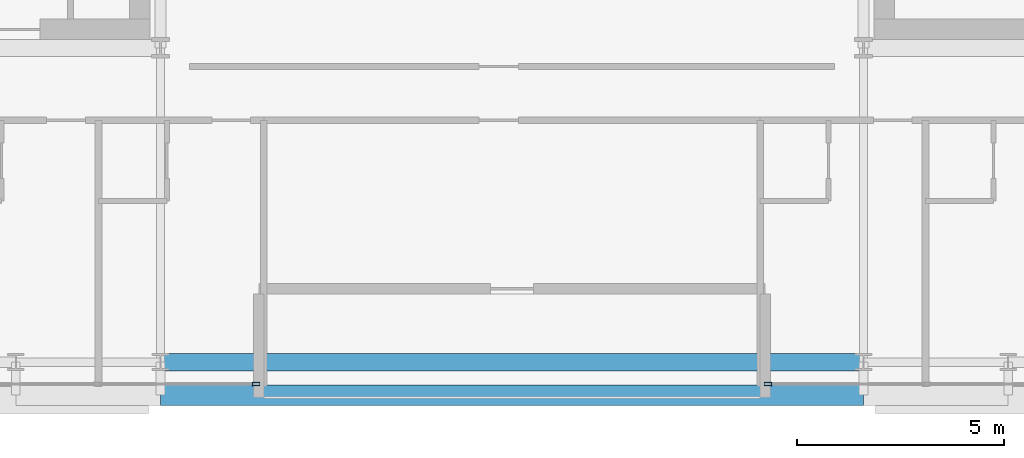
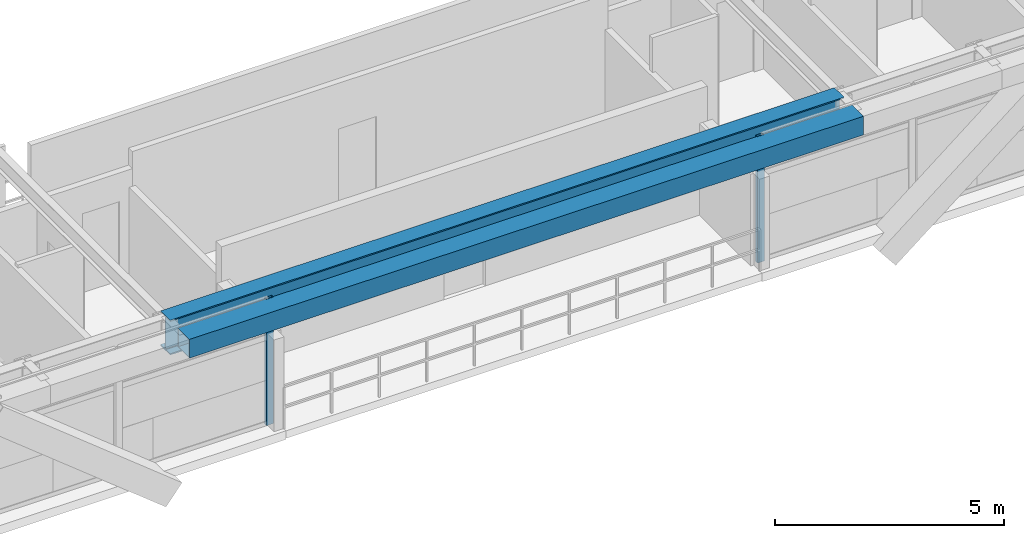
# One storey, part 6 of 32: 2 beams, 2 members, 2 elements without a shape of their own.
"""IFC4 building model written with IfcOpenShell, lengths in metres."""

import ifcopenshell
import ifcopenshell.guid

model = None  # the IFC model being written
_history = None  # IfcOwnerHistory: only IFC2X3 demands one
_inside = {}  # id of a spatial element -> (the spatial element, [elements in it])
_under = {}  # id of a project, library or spatial element -> (it, [spatial elements below it])
_declared = {}  # id of a project -> (the project, [libraries it declares])
_typed = {}  # id of a type object -> (the type object, [elements of that type])
_made_of = {}  # id of a material, layer set ... -> (it, [elements and type objects made of it])


def new_model(schema):
    """Start an empty IFC model of exactly this schema.

    Asked for "IFC4X3", IfcOpenShell would pick the latest addendum, in which some entities
    have other attributes; the version numbers below select the first issue.
    IFC2X3 requires an IfcOwnerHistory on every rooted entity: one is made here for all.
    """
    global model, _history
    if schema == "IFC4X3":
        model = ifcopenshell.file(schema_version=(4, 3, 0, 0))
    else:
        model = ifcopenshell.file(schema=schema)
    _inside.clear()
    _under.clear()
    _declared.clear()
    _typed.clear()
    _made_of.clear()
    _history = None
    if model.schema == "IFC2X3":
        org = make("IfcOrganization", Name="unknown")
        user = make(
            "IfcPersonAndOrganization",
            ThePerson=make("IfcPerson", FamilyName="unknown"),
            TheOrganization=org,
        )
        app = make(
            "IfcApplication",
            ApplicationDeveloper=org,
            Version="unknown",
            ApplicationFullName="unknown",
            ApplicationIdentifier="unknown",
        )
        _history = make(
            "IfcOwnerHistory",
            OwningUser=user,
            OwningApplication=app,
            ChangeAction="ADDED",
            CreationDate=0,
        )
    return model


def make(cls, **values):
    """One entity of the class cls with the attributes given. An attribute that is None is left unset."""
    return model.create_entity(
        cls, **{name: value for name, value in values.items() if value is not None}
    )


def rooted(cls, **values):
    """An entity with a GlobalId (a new one), such as an element, a storey or a relation."""
    return make(cls, GlobalId=ifcopenshell.guid.new(), OwnerHistory=_history, **values)


def si_unit(unit_type, name, prefix=None):
    """IfcSIUnit, for example si_unit("LENGTHUNIT", "METRE", prefix="MILLI")."""
    return make("IfcSIUnit", UnitType=unit_type, Prefix=prefix, Name=name)


def assignment(units):
    """IfcUnitAssignment: the units of a project."""
    return None if units is None else make("IfcUnitAssignment", Units=units)


def point(xyz):
    """IfcCartesianPoint."""
    return None if xyz is None else make("IfcCartesianPoint", Coordinates=xyz)


def direction(xyz):
    """IfcDirection."""
    return None if xyz is None else make("IfcDirection", DirectionRatios=xyz)


def frame(location, z_axis=None, x_axis=None):
    """IfcAxis2Placement3D, a coordinate frame: its origin and axes. An axis left out is left unset."""
    return make(
        "IfcAxis2Placement3D",
        Location=point(location),
        Axis=direction(z_axis),
        RefDirection=direction(x_axis),
    )


def frame_2d(location, x_axis=None):
    """IfcAxis2Placement2D, a coordinate frame in the plane: its origin and x axis."""
    return make(
        "IfcAxis2Placement2D", Location=point(location), RefDirection=direction(x_axis)
    )


def origin():
    """The frame at (0, 0, 0) with its axes left unset."""
    return frame((0.0, 0.0, 0.0))


def origin_2d():
    """The frame at (0, 0) in the plane with its x axis left unset."""
    return frame_2d((0.0, 0.0))


def place(relative_to, where):
    """IfcLocalPlacement: puts the frame where relative to a parent placement (None: the world)."""
    return make(
        "IfcLocalPlacement", PlacementRelTo=relative_to, RelativePlacement=where
    )


def context(
    kind, dimensions, precision=None, world=None, true_north=None, identifier=None
):
    """IfcGeometricRepresentationContext, for example the 3D "Model" context."""
    return make(
        "IfcGeometricRepresentationContext",
        ContextIdentifier=identifier,
        ContextType=kind,
        CoordinateSpaceDimension=dimensions,
        Precision=precision,
        WorldCoordinateSystem=world,
        TrueNorth=true_north,
    )


def subcontext(parent, identifier, kind, view, scale=None):
    """IfcGeometricRepresentationSubContext, for example "Body" below "Model"."""
    return make(
        "IfcGeometricRepresentationSubContext",
        ContextIdentifier=identifier,
        ContextType=kind,
        ParentContext=parent,
        TargetScale=scale,
        TargetView=view,
    )


def project(units=None, contexts=None):
    """IfcProject with its units and contexts."""
    return rooted(
        "IfcProject",
        Name="project",
        RepresentationContexts=contexts,
        UnitsInContext=assignment(units),
    )


def spatial(cls, under=None, at=None, **own):
    """A site, building, storey or space (cls), placed at a placement, below another one or the project."""
    s = rooted(cls, ObjectPlacement=at, **own)
    if under is not None:
        _under.setdefault(under.id(), (under, []))[1].append(s)
    return s


def profile(cls, at=None, kind="AREA", **sizes):
    """A parametric profile (cls). Its sizes go by their IFC names, for example OverallWidth=200.0."""
    return make(cls, ProfileType=kind, Position=at, **sizes)


def hollow_rectangle(**sizes):
    """IfcRectangleHollowProfileDef."""
    return profile("IfcRectangleHollowProfileDef", **sizes)


def i_section(**sizes):
    """IfcIShapeProfileDef."""
    return profile("IfcIShapeProfileDef", **sizes)


def extrude(swept, where, along, depth):
    """IfcExtrudedAreaSolid: the profile swept, set in the frame where, extruded along a direction by depth."""
    return make(
        "IfcExtrudedAreaSolid",
        SweptArea=swept,
        Position=where,
        ExtrudedDirection=direction(along),
        Depth=depth,
    )


def shape(context_of_items, identifier, shape_type, items):
    """IfcShapeRepresentation: the items that make up one representation, for example the "Body"."""
    return make(
        "IfcShapeRepresentation",
        ContextOfItems=context_of_items,
        RepresentationIdentifier=identifier,
        RepresentationType=shape_type,
        Items=items,
    )


def source(mapping_origin, context_of_items, identifier, shape_type, items):
    """IfcRepresentationMap: a shape defined once, which mapped items show again and again."""
    return make(
        "IfcRepresentationMap",
        MappingOrigin=mapping_origin,
        MappedRepresentation=shape(context_of_items, identifier, shape_type, items),
    )


def transform(
    local_origin,
    x_axis=None,
    y_axis=None,
    z_axis=None,
    scale=None,
    scale2=None,
    scale3=None,
    uniform=True,
):
    """IfcCartesianTransformationOperator3D, or its non-uniform kind. x_axis, y_axis, z_axis: its Axis1, 2, 3."""
    if uniform:
        return make(
            "IfcCartesianTransformationOperator3D",
            Axis1=direction(x_axis),
            Axis2=direction(y_axis),
            LocalOrigin=point(local_origin),
            Scale=scale,
            Axis3=direction(z_axis),
        )
    return make(
        "IfcCartesianTransformationOperator3DnonUniform",
        Axis1=direction(x_axis),
        Axis2=direction(y_axis),
        LocalOrigin=point(local_origin),
        Scale=scale,
        Axis3=direction(z_axis),
        Scale2=scale2,
        Scale3=scale3,
    )


def mapped(mapping_source, mapping_target):
    """IfcMappedItem: shows the shape of a source again, moved by a transform."""
    return make(
        "IfcMappedItem", MappingSource=mapping_source, MappingTarget=mapping_target
    )


def material(Name=None, Category=None):
    """IfcMaterial."""
    return make("IfcMaterial", Name=Name, Category=Category)


def layer(
    of_material, thickness, ventilated=None, Name=None, Category=None, Priority=None
):
    """IfcMaterialLayer: one layer of a wall or slab, of a material (None: an air gap)."""
    return make(
        "IfcMaterialLayer",
        Material=of_material,
        LayerThickness=thickness,
        IsVentilated=ventilated,
        Name=Name,
        Category=Category,
        Priority=Priority,
    )


def layer_set(layers, Name=None):
    """IfcMaterialLayerSet."""
    return make("IfcMaterialLayerSet", MaterialLayers=layers, LayerSetName=Name)


def material_profile(
    of_material, cross_section, Name=None, Category=None, Priority=None
):
    """IfcMaterialProfile: a cross section and its material."""
    return make(
        "IfcMaterialProfile",
        Name=Name,
        Material=of_material,
        Profile=cross_section,
        Priority=Priority,
        Category=Category,
    )


def profile_set(profiles, Name=None, composite=None):
    """IfcMaterialProfileSet."""
    return make(
        "IfcMaterialProfileSet",
        Name=Name,
        MaterialProfiles=profiles,
        CompositeProfile=composite,
    )


def made_of(thing, what):
    """Note that an element or type object is made of a material, layer set ...; save() writes the relation."""
    if what is not None:
        _made_of.setdefault(what.id(), (what, []))[1].append(thing)
    return thing


def type_object(cls, material=None, **own):
    """A type object (cls), such as IfcWallType, which elements share."""
    return made_of(rooted(cls, **own), material)


def element(
    cls,
    number,
    at=None,
    inside=None,
    cuts=None,
    type_object=None,
    material=None,
    context=None,
    identifier="Body",
    shape_type=None,
    held_by="IfcProductDefinitionShape",
    body=None,
    shapes=None,
    **own,
):
    """One element of the class cls, such as IfcWall. Its Tag is "e" and its number.

    at: its placement. inside: the storey or other place that contains it. cuts: it is an
    opening in that element (IfcRelVoidsElement). A single representation is given by context,
    identifier, shape_type and body (its items); several are given by shapes. held_by: the class
    of the entity that holds the representations. save() writes the other relations.
    """
    e = rooted(cls, Tag="e%d" % number, ObjectPlacement=at, **own)
    if body is not None:
        shapes = [shape(context, identifier, shape_type, body)]
    if shapes is not None:
        e.Representation = make(held_by, Representations=shapes)
    if inside is not None:
        _inside.setdefault(inside.id(), (inside, []))[1].append(e)
    if cuts is not None:
        rooted(
            "IfcRelVoidsElement", RelatingBuildingElement=cuts, RelatedOpeningElement=e
        )
    if type_object is not None:
        _typed.setdefault(type_object.id(), (type_object, []))[1].append(e)
    return made_of(e, material)


def aggregate(whole, parts):
    """IfcRelAggregates: a whole, such as a stair, and the parts it consists of."""
    return rooted("IfcRelAggregates", RelatingObject=whole, RelatedObjects=parts)


def save(model, path):
    """Write the relations noted so far, then the file.

    IfcRelAggregates (storeys below a building ...), IfcRelContainedInSpatialStructure (elements
    in a storey), IfcRelDefinesByType, IfcRelAssociatesMaterial and IfcRelDeclares: one each for
    every whole, place, type object, material and project.
    """
    for whole, parts in _under.values():
        aggregate(whole, parts)
    for where, things in _inside.values():
        rooted(
            "IfcRelContainedInSpatialStructure",
            RelatedElements=things,
            RelatingStructure=where,
        )
    for kind, things in _typed.values():
        rooted("IfcRelDefinesByType", RelatedObjects=things, RelatingType=kind)
    for what, things in _made_of.values():
        rooted("IfcRelAssociatesMaterial", RelatedObjects=things, RelatingMaterial=what)
    for by, libraries in _declared.values():
        rooted("IfcRelDeclares", RelatingContext=by, RelatedDefinitions=libraries)
    model.write(path)


model = new_model("IFC4")

# Units and contexts
model_context = context("Model", 3, precision=1e-05, world=origin(), true_north=direction((0.0, 1.0)))
body_context = subcontext(model_context, "Body", "Model", "MODEL_VIEW")
ifc_project = project(units=[si_unit("LENGTHUNIT", "METRE"), si_unit("AREAUNIT", "SQUARE_METRE"), si_unit("VOLUMEUNIT", "CUBIC_METRE"), si_unit("PLANEANGLEUNIT", "RADIAN"), si_unit("MASSUNIT", "GRAM", prefix="KILO")], contexts=[model_context])

# Site, building, storey
site_placement = place(None, origin())
site = spatial("IfcSite", under=ifc_project, at=site_placement, CompositionType="ELEMENT")
building_placement = place(site_placement, origin())
building = spatial("IfcBuilding", under=site, at=building_placement, Name="Ocotamira Hotel", CompositionType="ELEMENT")
storey_placement = place(building_placement, frame((0.0, 0.0, 166.800048828125)))
storey = spatial("IfcBuildingStorey", under=building, at=storey_placement, Name="L41", CompositionType="ELEMENT", Elevation=166.800048828125)

# Beams
ifc_material_1 = material(Name="Steel ASTM A992 Grade 50", Category="steel")
ifc_material_profile_1 = material_profile(ifc_material_1, i_section(OverallWidth=0.41796875, OverallDepth=0.927001953125, WebThickness=0.019287109375, FlangeThickness=0.031982421875, FilletRadius=0.02392578125, at=origin_2d()), Name="W36X231")
ifc_profile_set_1 = profile_set([ifc_material_profile_1], Name="Steel ASTM A992 Grade 50")
beam_type_1 = type_object("IfcBeamType", Name="BM-GIRD-W36X231", PredefinedType="BEAM", material=ifc_profile_set_1)
shared_shape_1 = source(origin(), body_context, "Body", "SweptSolid", [
    extrude(i_section(OverallWidth=0.41796875, OverallDepth=0.927001953125, WebThickness=0.019287109375, FlangeThickness=0.031982421875, FilletRadius=0.02392578125, at=origin_2d()), origin(), (0.0, 0.0, 1.0), 17.0),
])
beam_1_placement = place(storey_placement, frame((23.5, 6.949951171875, 2.906494140625), z_axis=(1.0, 0.0, 0.0), x_axis=(0.0, 1.0, 0.0)))
element("IfcBeam", 1, at=beam_1_placement, inside=storey, type_object=beam_type_1, Name="L41 Girder Y6.95 X23.5-40.5", PredefinedType="BEAM", context=body_context, shape_type="MappedRepresentation", body=[
    mapped(shared_shape_1, transform((0.0, 0.0, 0.0), scale=1.0)),
])
ifc_material_2 = material(Name="Steel ASTM A500 Grade C", Category="steel")
ifc_material_profile_2 = material_profile(ifc_material_2, hollow_rectangle(XDim=0.5, YDim=0.5, WallThickness=0.02001953125, at=origin_2d()), Name="HSS500X500X20")
ifc_profile_set_2 = profile_set([ifc_material_profile_2], Name="Steel ASTM A500 Grade C")
beam_type_2 = type_object("IfcBeamType", Name="BM-SPAN-HSS500", PredefinedType="USERDEFINED", material=ifc_profile_set_2)
shared_shape_2 = source(origin(), body_context, "Body", "SweptSolid", [
    extrude(hollow_rectangle(XDim=0.5, YDim=0.5, WallThickness=0.02001953125, at=origin_2d()), origin(), (0.0, 0.0, 1.0), 17.0),
])
beam_2_placement = place(storey_placement, frame((23.5, 6.14990234375, 3.119873046875), z_axis=(1.0, 0.0, 0.0), x_axis=(0.0, 1.0, 0.0)))
element("IfcBeam", 2, at=beam_2_placement, inside=storey, type_object=beam_type_2, Name="L41 Edge Spandrel S X23.5-40.5", ObjectType="SPANDREL", PredefinedType="USERDEFINED", context=body_context, shape_type="MappedRepresentation", body=[
    mapped(shared_shape_2, transform((0.0, 0.0, 0.0), scale=1.0)),
])

# Curtain wall, member
ifc_material_3 = material(Name="Anodised pale-metal aluminium and solar glass", Category="aluminium")
ifc_layer = layer(ifc_material_3, 0.199951171875)
ifc_layer_set = layer_set([ifc_layer], Name="Anodised pale-metal aluminium and solar glass")
curtain_wall_type = type_object("IfcCurtainWallType", Name="CW-SYS4-Z3", PredefinedType="NOTDEFINED", material=ifc_layer_set)
curtain_wall_1_placement = place(storey_placement, origin())
curtain_wall_1 = element("IfcCurtainWall", 3, at=curtain_wall_1_placement, inside=storey, type_object=curtain_wall_type, Name="L41 Curtain Wall CW-4 CW-L41-S1", PredefinedType="NOTDEFINED")
ifc_material_4 = material(Name="Anodised pale-metal aluminium 6063-T6", Category="aluminium")
ifc_material_profile_3 = material_profile(ifc_material_4, hollow_rectangle(XDim=0.080078125, YDim=0.179931640625, WallThickness=0.006103515625, at=origin_2d()), Name="HSS180X80X6")
ifc_profile_set_3 = profile_set([ifc_material_profile_3], Name="Anodised pale-metal aluminium 6063-T6")
member_type = type_object("IfcMemberType", Name="CWM-180X75", PredefinedType="MULLION", material=ifc_profile_set_3)
shared_shape_3 = source(origin(), body_context, "Body", "SweptSolid", [
    extrude(hollow_rectangle(XDim=0.080078125, YDim=0.179931640625, WallThickness=0.006103515625, at=origin_2d()), origin(), (0.0, 0.0, 1.0), 3.369873046875),
])
member_1_placement = place(storey_placement, frame((25.81005859375, 6.419921875, 0.0), z_axis=(0.0, 0.0, 1.0), x_axis=(0.0, 1.0, 0.0)))
member_1 = element("IfcMember", 4, at=member_1_placement, type_object=member_type, Name="CW-4 mullion 4", PredefinedType="MULLION", context=body_context, shape_type="MappedRepresentation", body=[
    mapped(shared_shape_3, transform((0.0, 0.0, 0.0), scale=1.0)),
])
aggregate(curtain_wall_1, [member_1])

curtain_wall_2_placement = place(storey_placement, origin())
curtain_wall_2 = element("IfcCurtainWall", 5, at=curtain_wall_2_placement, inside=storey, type_object=curtain_wall_type, Name="L41 Curtain Wall CW-4 CW-L41-S2", PredefinedType="NOTDEFINED")
member_2_placement = place(storey_placement, frame((38.18994140625, 6.419921875, 0.0), z_axis=(0.0, 0.0, 1.0), x_axis=(0.0, 1.0, 0.0)))
member_2 = element("IfcMember", 6, at=member_2_placement, type_object=member_type, Name="CW-4 mullion 1", PredefinedType="MULLION", context=body_context, shape_type="MappedRepresentation", body=[
    mapped(shared_shape_3, transform((0.0, 0.0, 0.0), scale=1.0)),
])
aggregate(curtain_wall_2, [member_2])

save(model, "model.ifc")
